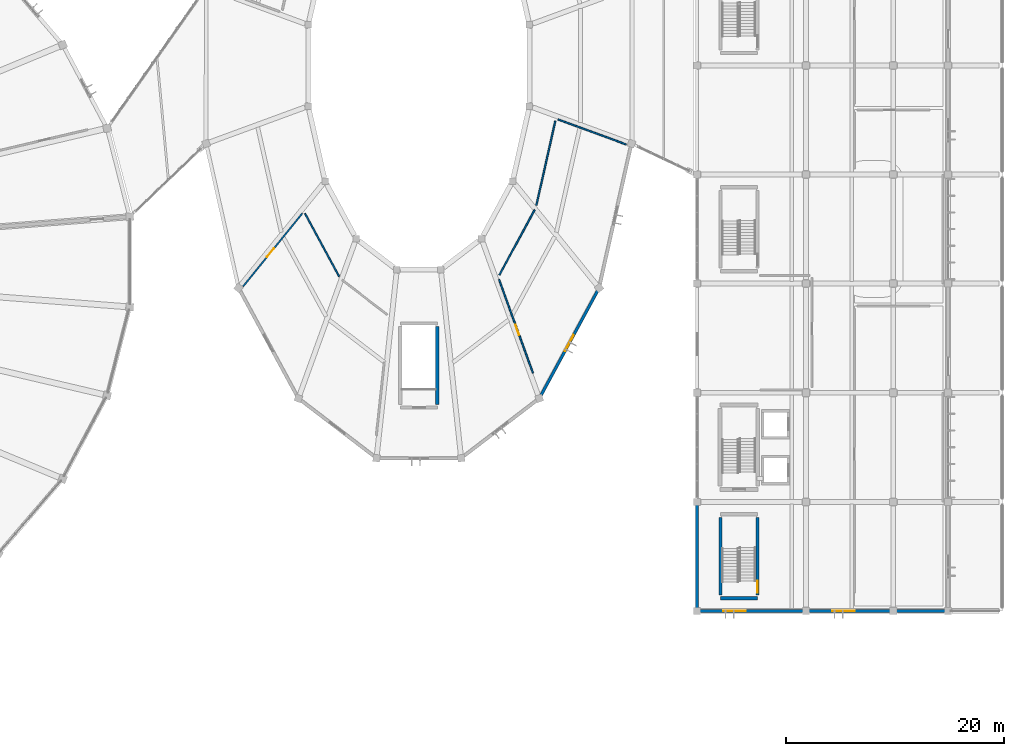
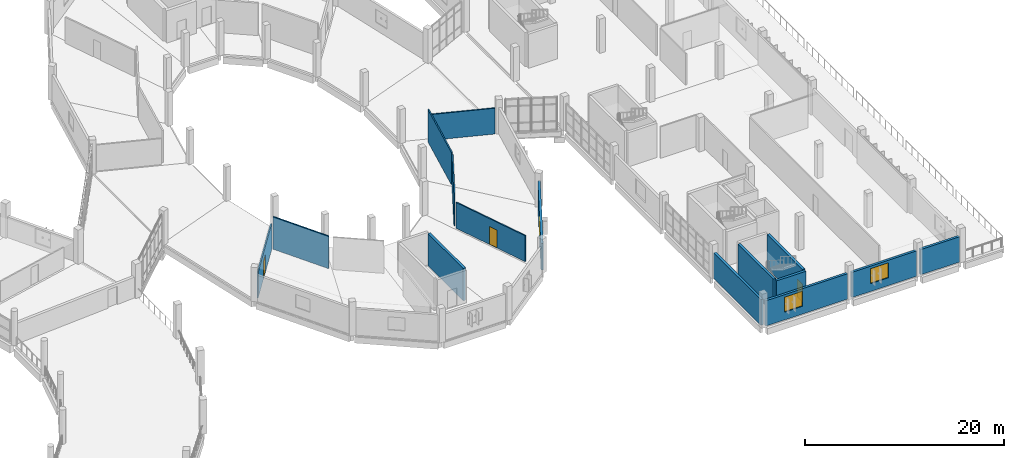
# One storey, part 103 of 142: 15 walls, 3 doors, 3 windows, 6 openings.
"""IFC4 building model written with IfcOpenShell, lengths in metres."""

from ifc_helpers import new_model, si_unit, direction, frame, frame_2d, origin, place, context, subcontext, project, spatial, rectangle, extrude, material, layer, layer_set, type_object, element, fill, save


model = new_model("IFC4")

# Units and contexts
model_context = context("Model", 3, precision=1e-05, world=origin(), true_north=direction((0.0, 1.0)))
body_context = subcontext(model_context, "Body", "Model", "MODEL_VIEW")
ifc_project = project(units=[si_unit("LENGTHUNIT", "METRE"), si_unit("AREAUNIT", "SQUARE_METRE"), si_unit("VOLUMEUNIT", "CUBIC_METRE"), si_unit("PLANEANGLEUNIT", "RADIAN"), si_unit("MASSUNIT", "GRAM", prefix="KILO")], contexts=[model_context])

# Site, building, storey
site_placement = place(None, origin())
site = spatial("IfcSite", under=ifc_project, at=site_placement, CompositionType="ELEMENT")
building_placement = place(site_placement, origin())
building = spatial("IfcBuilding", under=site, at=building_placement, Name="Corvandel Quay Wholesale Market", CompositionType="ELEMENT")
storey_placement = place(building_placement, frame((0.0, 0.0, 10.800048828125)))
storey = spatial("IfcBuildingStorey", under=building, at=storey_placement, Name="L02", CompositionType="ELEMENT", Elevation=10.800048828125)

# Wall
ifc_material_1 = material(Name="Buff-pigmented precast concrete C45/55", Category="concrete")
ifc_layer_1 = layer(ifc_material_1, 0.280029296875)
ifc_layer_set_1 = layer_set([ifc_layer_1], Name="Buff-pigmented precast concrete C45/55")
wall_type_1 = type_object("IfcWallType", Name="Colonnade Spandrel Precast Wall EW07 280", PredefinedType="SOLIDWALL", material=ifc_layer_set_1)
wall_1_placement = place(storey_placement, frame((220.0, 10.219970703125, 0.0), z_axis=(0.0, 0.0, 1.0), x_axis=(0.0, 1.0, 0.0)))
element("IfcWall", 1, at=wall_1_placement, inside=storey, type_object=wall_type_1, Name="Exterior Wall EW-0367", PredefinedType="SOLIDWALL", context=body_context, shape_type="SweptSolid", body=[
    extrude(rectangle(XDim=9.56005859375, YDim=0.280029296875, at=frame_2d((4.780029296875, 0.0))), origin(), (0.0, 0.0, 1.0), 3.159912109375),
])

# Wall, opening, window
wall_2_placement = place(storey_placement, frame((220.219970703125, 10.0, 0.0), z_axis=(0.0, 0.0, 1.0), x_axis=(1.0, 0.0, 0.0)))
wall_2 = element("IfcWall", 2, at=wall_2_placement, inside=storey, type_object=wall_type_1, Name="Exterior Wall EW-0376", PredefinedType="SOLIDWALL", context=body_context, shape_type="SweptSolid", body=[
    extrude(rectangle(XDim=9.56005859375, YDim=0.280029296875, at=frame_2d((4.780029296875, 0.0))), origin(), (0.0, 0.0, 1.0), 3.10986328125),
])
opening_1_placement = place(wall_2_placement, frame((2.199951171875, 0.0, 0.949951171875)))
opening_1 = element("IfcOpeningElement", 3, at=opening_1_placement, cuts=wall_2, Name="Opening L02-W071", PredefinedType="OPENING", context=body_context, shape_type="SweptSolid", body=[
    extrude(rectangle(XDim=2.050048828125, YDim=1.85009765625, at=frame_2d((1.02490234375, 0.925048828125))), frame((0.0, 0.14990234375, 0.0), z_axis=(0.0, -1.0, 0.0), x_axis=(1.0, 0.0, 0.0)), (0.0, 0.0, 1.0), 0.300048828125),
])
ifc_material_2 = material(Name="Thermally broken bronze anodised aluminium and solar-control low-E double glazing", Category="aluminium")
window_type_1 = type_object("IfcWindowType", Name="Traders Office Module Window WN19 2050x1850", PartitioningType="SINGLE_PANEL", PredefinedType="WINDOW", material=ifc_material_2)
window_1_placement = place(opening_1_placement, origin())
window_1 = element("IfcWindow", 4, at=window_1_placement, inside=storey, type_object=window_type_1, Name="Window L02-W071", OverallHeight=1.85009765625, OverallWidth=2.050048828125, PartitioningType="SINGLE_PANEL", PredefinedType="WINDOW", context=body_context, shape_type="SweptSolid", body=[
    extrude(rectangle(XDim=2.050048828125, YDim=1.85009765625, at=frame_2d((1.02490234375, 0.925048828125))), frame((0.0, 0.030029296875, 0.0), z_axis=(0.0, -1.0, 0.0), x_axis=(1.0, 0.0, 0.0)), (0.0, 0.0, 1.0), 0.06005859375),
])
fill(opening_1, window_1)

wall_3_placement = place(storey_placement, frame((230.219970703125, 10.0, 0.0), z_axis=(0.0, 0.0, 1.0), x_axis=(1.0, 0.0, 0.0)))
wall_3 = element("IfcWall", 5, at=wall_3_placement, inside=storey, type_object=wall_type_1, Name="Exterior Wall EW-0378", PredefinedType="SOLIDWALL", context=body_context, shape_type="SweptSolid", body=[
    extrude(rectangle(XDim=7.56005859375, YDim=0.280029296875, at=frame_2d((3.780029296875, 0.0))), origin(), (0.0, 0.0, 1.0), 3.10986328125),
])
opening_2_placement = place(wall_3_placement, frame((2.199951171875, 0.0, 0.949951171875)))
opening_2 = element("IfcOpeningElement", 6, at=opening_2_placement, cuts=wall_3, Name="Opening L02-W073", PredefinedType="OPENING", context=body_context, shape_type="SweptSolid", body=[
    extrude(rectangle(XDim=2.050048828125, YDim=1.85009765625, at=frame_2d((1.02490234375, 0.925048828125))), frame((0.0, 0.14990234375, 0.0), z_axis=(0.0, -1.0, 0.0), x_axis=(1.0, 0.0, 0.0)), (0.0, 0.0, 1.0), 0.300048828125),
])
window_2_placement = place(opening_2_placement, origin())
window_2 = element("IfcWindow", 7, at=window_2_placement, inside=storey, type_object=window_type_1, Name="Window L02-W073", OverallHeight=1.85009765625, OverallWidth=2.050048828125, PartitioningType="SINGLE_PANEL", PredefinedType="WINDOW", context=body_context, shape_type="SweptSolid", body=[
    extrude(rectangle(XDim=2.050048828125, YDim=1.85009765625, at=frame_2d((1.02490234375, 0.925048828125))), frame((0.0, 0.030029296875, 0.0), z_axis=(0.0, -1.0, 0.0), x_axis=(1.0, 0.0, 0.0)), (0.0, 0.0, 1.0), 0.06005859375),
])
fill(opening_2, window_2)

# Wall
wall_4_placement = place(storey_placement, frame((238.219970703125, 10.0, 0.0), z_axis=(0.0, 0.0, 1.0), x_axis=(1.0, 0.0, 0.0)))
element("IfcWall", 8, at=wall_4_placement, inside=storey, type_object=wall_type_1, Name="Exterior Wall EW-0380", PredefinedType="SOLIDWALL", context=body_context, shape_type="SweptSolid", body=[
    extrude(rectangle(XDim=4.56005859375, YDim=0.280029296875, at=frame_2d((2.280029296875, 0.0))), origin(), (0.0, 0.0, 1.0), 3.10986328125),
])

# Wall, opening, door
ifc_material_3 = material(Name="Double-layer acoustic gypsum stud partition")
ifc_layer_2 = layer(ifc_material_3, 0.139892578125)
ifc_layer_set_2 = layer_set([ifc_layer_2], Name="Double-layer acoustic gypsum stud partition")
wall_type_2 = type_object("IfcWallType", Name="Office Acoustic Partition PT07 140", PredefinedType="PARTITIONING", material=ifc_layer_set_2)
wall_5_placement = place(storey_placement, frame((178.39453125, 39.751953125, 0.0), z_axis=(0.0, 0.0, 1.0), x_axis=(0.629757145599, 0.776792081298, 0.0)))
wall_5 = element("IfcWall", 9, at=wall_5_placement, inside=storey, type_object=wall_type_2, Name="Interior Wall IW-0757", PredefinedType="PARTITIONING", context=body_context, shape_type="SweptSolid", body=[
    extrude(rectangle(XDim=8.61767578125, YDim=0.139892578125, at=frame_2d((4.308837890625, 0.0))), origin(), (0.0, 0.0, 1.0), 3.179931640625),
])
opening_3_placement = place(wall_5_placement, frame((3.458984375, 0.0, 0.0)))
opening_3 = element("IfcOpeningElement", 10, at=opening_3_placement, cuts=wall_5, Name="Opening L02-D041", PredefinedType="OPENING", context=body_context, shape_type="SweptSolid", body=[
    extrude(rectangle(XDim=1.0, YDim=2.199951171875, at=frame_2d((0.5, 1.10009765625))), frame((0.0, 0.079833984375, 0.0), z_axis=(0.0, -1.0, 0.0), x_axis=(1.0, 0.0, 0.0)), (0.0, 0.0, 1.0), 0.159912109375),
])
ifc_material_4 = material(Name="Stained oak solid-core acoustic timber", Category="wood")
door_type_1 = type_object("IfcDoorType", Name="Office Entry Door ID09 1000x2200L", OperationType="SINGLE_SWING_LEFT", PredefinedType="DOOR", material=ifc_material_4)
door_1_placement = place(opening_3_placement, origin())
door_1 = element("IfcDoor", 11, at=door_1_placement, inside=storey, type_object=door_type_1, Name="Market Telecom and Clock Control Suite Door", OperationType="SINGLE_SWING_LEFT", OverallHeight=2.199951171875, OverallWidth=1.0, PredefinedType="DOOR", context=body_context, shape_type="SweptSolid", body=[
    extrude(rectangle(XDim=1.0, YDim=2.199951171875, at=frame_2d((0.5, 1.10009765625))), frame((0.0, 0.02490234375, 0.0), z_axis=(0.0, -1.0, 0.0), x_axis=(1.0, 0.0, 0.0)), (0.0, 0.0, 1.0), 0.050048828125),
])
fill(opening_3, door_1)

# Walls
wall_6_placement = place(storey_placement, frame((184.06494140625, 46.423583984375, 0.0), z_axis=(0.0, 0.0, 1.0), x_axis=(0.476768399211, -0.87902894919, 0.0)))
element("IfcWall", 12, at=wall_6_placement, inside=storey, type_object=wall_type_2, Name="Interior Wall IW-0758", PredefinedType="PARTITIONING", context=body_context, shape_type="SweptSolid", body=[
    extrude(rectangle(XDim=6.563232421875, YDim=0.139892578125, at=frame_2d((3.28173828125, 0.0))), origin(), (0.0, 0.0, 1.0), 3.97998046875),
])
wall_7_placement = place(storey_placement, frame((201.8837890625, 40.78857421875, 0.0), z_axis=(0.0, 0.0, 1.0), x_axis=(0.475826771509, 0.87953901762, 0.0)))
element("IfcWall", 13, at=wall_7_placement, inside=storey, type_object=wall_type_2, Name="Interior Wall IW-0761", PredefinedType="PARTITIONING", context=body_context, shape_type="SweptSolid", body=[
    extrude(rectangle(XDim=6.80810546875, YDim=0.139892578125, at=frame_2d((3.404052734375, 0.0))), origin(), (0.0, 0.0, 1.0), 3.97998046875),
])
wall_8_placement = place(storey_placement, frame((205.276123046875, 47.184814453125, 0.0), z_axis=(0.0, 0.0, 1.0), x_axis=(0.219151477766, 0.975690847448, 0.0)))
element("IfcWall", 14, at=wall_8_placement, inside=storey, type_object=wall_type_2, Name="Interior Wall IW-0762", PredefinedType="PARTITIONING", context=body_context, shape_type="SweptSolid", body=[
    extrude(rectangle(XDim=7.924072265625, YDim=0.139892578125, at=frame_2d((3.9619140625, 0.0))), origin(), (0.0, 0.0, 1.0), 3.97998046875),
])
wall_9_placement = place(storey_placement, frame((207.267578125, 55.05517578125, 0.0), z_axis=(0.0, 0.0, 1.0), x_axis=(0.938715317885, -0.344693417356, 0.0)))
element("IfcWall", 15, at=wall_9_placement, inside=storey, type_object=wall_type_2, Name="Interior Wall IW-0763", PredefinedType="PARTITIONING", context=body_context, shape_type="SweptSolid", body=[
    extrude(rectangle(XDim=6.653564453125, YDim=0.139892578125, at=frame_2d((3.32666015625, 0.0))), origin(), (0.0, 0.0, 1.0), 3.179931640625),
])

# Wall, opening, door
wall_10_placement = place(storey_placement, frame((204.9638671875, 31.7958984375, 0.0), z_axis=(0.0, 0.0, 1.0), x_axis=(-0.340331120572, 0.940305656885, 0.0)))
wall_10 = element("IfcWall", 16, at=wall_10_placement, inside=storey, type_object=wall_type_2, Name="Interior Wall IW-0764", PredefinedType="PARTITIONING", context=body_context, shape_type="SweptSolid", body=[
    extrude(rectangle(XDim=9.1376953125, YDim=0.139892578125, at=frame_2d((4.56884765625, 0.0))), origin(), (0.0, 0.0, 1.0), 3.179931640625),
])
opening_4_placement = place(wall_10_placement, frame((3.718994140625, 0.0, 0.0)))
opening_4 = element("IfcOpeningElement", 17, at=opening_4_placement, cuts=wall_10, Name="Opening L02-D042", PredefinedType="OPENING", context=body_context, shape_type="SweptSolid", body=[
    extrude(rectangle(XDim=1.0, YDim=2.199951171875, at=frame_2d((0.5, 1.10009765625))), frame((0.0, 0.079833984375, 0.0), z_axis=(0.0, -1.0, 0.0), x_axis=(1.0, 0.0, 0.0)), (0.0, 0.0, 1.0), 0.159912109375),
])
door_type_2 = type_object("IfcDoorType", Name="Office Entry Door ID10 1000x2200R", OperationType="SINGLE_SWING_RIGHT", PredefinedType="DOOR", material=ifc_material_4)
door_2_placement = place(opening_4_placement, origin())
door_2 = element("IfcDoor", 18, at=door_2_placement, inside=storey, type_object=door_type_2, Name="Agricultural Commodity Press Room Door", OperationType="SINGLE_SWING_RIGHT", OverallHeight=2.199951171875, OverallWidth=1.0, PredefinedType="DOOR", context=body_context, shape_type="SweptSolid", body=[
    extrude(rectangle(XDim=1.0, YDim=2.199951171875, at=frame_2d((0.5, 1.10009765625))), frame((0.0, 0.02490234375, 0.0), z_axis=(0.0, -1.0, 0.0), x_axis=(1.0, 0.0, 0.0)), (0.0, 0.0, 1.0), 0.050048828125),
])
fill(opening_4, door_2)

# Wall, opening, window
ifc_material_5 = material(Name="Terracotta precast concrete C45/55", Category="masonry")
ifc_layer_3 = layer(ifc_material_5, 0.260009765625)
ifc_layer_set_3 = layer_set([ifc_layer_3], Name="Terracotta precast concrete C45/55")
wall_type_3 = type_object("IfcWallType", Name="Pavilion Pilaster Infill Wall EW08 260", PredefinedType="SOLIDWALL", material=ifc_layer_set_3)
wall_11_placement = place(storey_placement, frame((205.65087890625, 29.67431640625, 0.0), z_axis=(0.0, 0.0, 1.0), x_axis=(0.476243387046, 0.87931350285, 0.0)))
wall_11 = element("IfcWall", 19, at=wall_11_placement, inside=storey, type_object=wall_type_3, Name="Exterior Wall EW-0191", PredefinedType="SOLIDWALL", context=body_context, shape_type="SweptSolid", body=[
    extrude(rectangle(XDim=11.0771484375, YDim=0.260009765625, at=frame_2d((5.53857421875, 0.0))), origin(), (0.0, 0.0, 1.0), 3.22998046875),
])
opening_5_placement = place(wall_11_placement, frame((4.68896484375, 0.0, 0.949951171875)))
opening_5 = element("IfcOpeningElement", 20, at=opening_5_placement, cuts=wall_11, Name="Opening L02-W037", PredefinedType="OPENING", context=body_context, shape_type="SweptSolid", body=[
    extrude(rectangle(XDim=1.699951171875, YDim=1.60009765625, at=frame_2d((0.85009765625, 0.800048828125))), frame((0.0, 0.139892578125, 0.0), z_axis=(0.0, -1.0, 0.0), x_axis=(1.0, 0.0, 0.0)), (0.0, 0.0, 1.0), 0.280029296875),
])
window_type_2 = type_object("IfcWindowType", Name="Auction Viewing Window WN13 1700x1600", PartitioningType="SINGLE_PANEL", PredefinedType="WINDOW", material=ifc_material_2)
window_3_placement = place(opening_5_placement, origin())
window_3 = element("IfcWindow", 21, at=window_3_placement, inside=storey, type_object=window_type_2, Name="Window L02-W037", OverallHeight=1.60009765625, OverallWidth=1.699951171875, PartitioningType="SINGLE_PANEL", PredefinedType="WINDOW", context=body_context, shape_type="SweptSolid", body=[
    extrude(rectangle(XDim=1.699951171875, YDim=1.60009765625, at=frame_2d((0.85009765625, 0.800048828125))), frame((0.0, 0.030029296875, 0.0), z_axis=(0.0, -1.0, 0.0), x_axis=(1.0, 0.0, 0.0)), (0.0, 0.0, 1.0), 0.06005859375),
])
fill(opening_5, window_3)

# Walls
ifc_material_6 = material(Name="Concrete C40/50", Category="concrete")
ifc_layer_4 = layer(ifc_material_6, 0.300048828125)
ifc_layer_set_4 = layer_set([ifc_layer_4], Name="Concrete C40/50")
wall_type_4 = type_object("IfcWallType", Name="Stair Shaft Shear Wall SW02 300", PredefinedType="SHEAR", material=ifc_layer_set_4)
wall_12_placement = place(storey_placement, frame((196.199951171875, 28.93994140625, 0.0), z_axis=(0.0, 0.0, 1.0), x_axis=(0.0, 1.0, 0.0)))
element("IfcWall", 22, at=wall_12_placement, inside=storey, type_object=wall_type_4, Name="Shear Wall IW-0100", PredefinedType="SHEAR", context=body_context, shape_type="SweptSolid", body=[
    extrude(rectangle(XDim=7.1201171875, YDim=0.300048828125, at=frame_2d((3.56005859375, 0.0))), origin(), (0.0, 0.0, 1.0), 3.97998046875),
])
wall_13_placement = place(storey_placement, frame((222.14990234375, 11.14990234375, 0.0), z_axis=(0.0, 0.0, 1.0), x_axis=(1.0, 0.0, 0.0)))
element("IfcWall", 23, at=wall_13_placement, inside=storey, type_object=wall_type_4, Name="Shear Wall IW-0217", PredefinedType="SHEAR", context=body_context, shape_type="SweptSolid", body=[
    extrude(rectangle(XDim=3.400146484375, YDim=0.300048828125, at=frame_2d((1.7001953125, 0.0))), origin(), (0.0, 0.0, 1.0), 4.199951171875),
])
wall_14_placement = place(storey_placement, frame((222.14990234375, 11.43994140625, 0.0), z_axis=(0.0, 0.0, 1.0), x_axis=(0.0, 1.0, 0.0)))
element("IfcWall", 24, at=wall_14_placement, inside=storey, type_object=wall_type_4, Name="Shear Wall IW-0219", PredefinedType="SHEAR", context=body_context, shape_type="SweptSolid", body=[
    extrude(rectangle(XDim=7.1201171875, YDim=0.300048828125, at=frame_2d((3.56005859375, 0.0))), origin(), (0.0, 0.0, 1.0), 4.199951171875),
])

# Wall, opening, door
wall_15_placement = place(storey_placement, frame((225.550048828125, 11.43994140625, 0.0), z_axis=(0.0, 0.0, 1.0), x_axis=(0.0, 1.0, 0.0)))
wall_15 = element("IfcWall", 25, at=wall_15_placement, inside=storey, type_object=wall_type_4, Name="Shear Wall IW-0220", PredefinedType="SHEAR", context=body_context, shape_type="SweptSolid", body=[
    extrude(rectangle(XDim=7.1201171875, YDim=0.300048828125, at=frame_2d((3.56005859375, 0.0))), origin(), (0.0, 0.0, 1.0), 4.199951171875),
])
opening_6_placement = place(wall_15_placement, frame((0.219970703125, 0.0, 0.0)))
opening_6 = element("IfcOpeningElement", 26, at=opening_6_placement, cuts=wall_15, Name="Opening L02-D020", PredefinedType="OPENING", context=body_context, shape_type="SweptSolid", body=[
    extrude(rectangle(XDim=1.10009765625, YDim=2.199951171875, at=frame_2d((0.550048828125, 1.10009765625))), frame((0.0, 0.159912109375, 0.0), z_axis=(0.0, -1.0, 0.0), x_axis=(1.0, 0.0, 0.0)), (0.0, 0.0, 1.0), 0.320068359375),
])
ifc_material_7 = material(Name="Galvanised fire-rated hollow steel", Category="steel")
door_type_3 = type_object("IfcDoorType", Name="Exit Stair Fire Door ID01 1100x2200L", OperationType="SINGLE_SWING_LEFT", PredefinedType="DOOR", material=ifc_material_7)
door_3_placement = place(opening_6_placement, origin())
door_3 = element("IfcDoor", 27, at=door_3_placement, inside=storey, type_object=door_type_3, Name="Exit Stair Door SH19-L02", OperationType="SINGLE_SWING_LEFT", OverallHeight=2.199951171875, OverallWidth=1.10009765625, PredefinedType="DOOR", context=body_context, shape_type="SweptSolid", body=[
    extrude(rectangle(XDim=1.10009765625, YDim=2.199951171875, at=frame_2d((0.550048828125, 1.10009765625))), frame((0.0, 0.02490234375, 0.0), z_axis=(0.0, -1.0, 0.0), x_axis=(1.0, 0.0, 0.0)), (0.0, 0.0, 1.0), 0.050048828125),
])
fill(opening_6, door_3)

save(model, "model.ifc")
